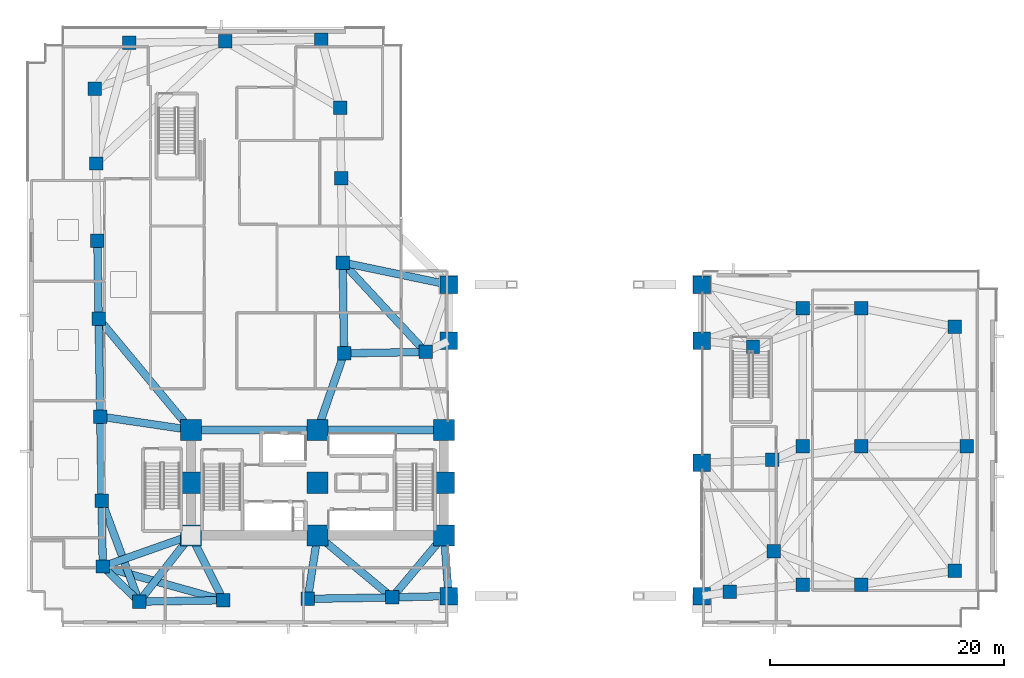
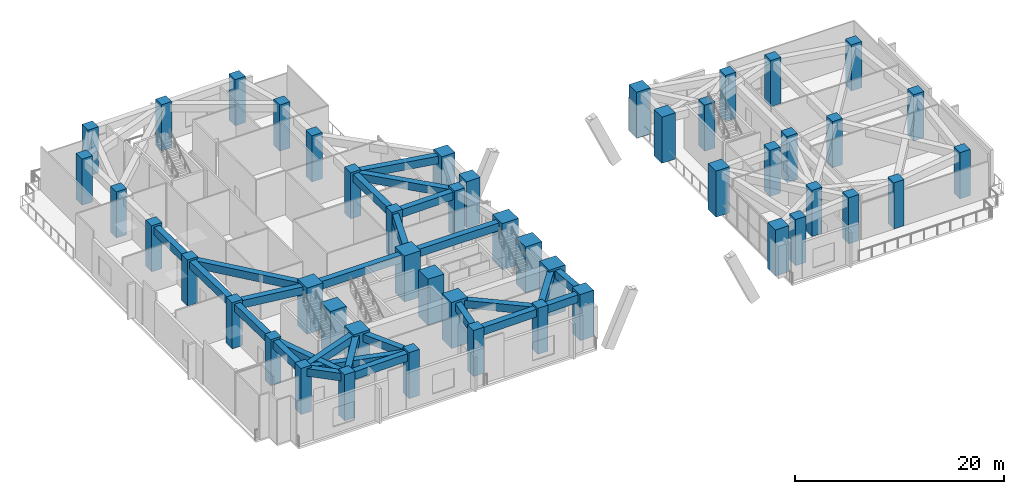
# One storey, part 1 of 18: 48 columns, 26 beams.
"""IFC4 building model written with IfcOpenShell, lengths in metres."""

import ifcopenshell
import ifcopenshell.guid

model = None  # the IFC model being written
_history = None  # IfcOwnerHistory: only IFC2X3 demands one
_inside = {}  # id of a spatial element -> (the spatial element, [elements in it])
_under = {}  # id of a project, library or spatial element -> (it, [spatial elements below it])
_declared = {}  # id of a project -> (the project, [libraries it declares])
_typed = {}  # id of a type object -> (the type object, [elements of that type])
_made_of = {}  # id of a material, layer set ... -> (it, [elements and type objects made of it])


def new_model(schema):
    """Start an empty IFC model of exactly this schema.

    Asked for "IFC4X3", IfcOpenShell would pick the latest addendum, in which some entities
    have other attributes; the version numbers below select the first issue.
    IFC2X3 requires an IfcOwnerHistory on every rooted entity: one is made here for all.
    """
    global model, _history
    if schema == "IFC4X3":
        model = ifcopenshell.file(schema_version=(4, 3, 0, 0))
    else:
        model = ifcopenshell.file(schema=schema)
    _inside.clear()
    _under.clear()
    _declared.clear()
    _typed.clear()
    _made_of.clear()
    _history = None
    if model.schema == "IFC2X3":
        org = make("IfcOrganization", Name="unknown")
        user = make(
            "IfcPersonAndOrganization",
            ThePerson=make("IfcPerson", FamilyName="unknown"),
            TheOrganization=org,
        )
        app = make(
            "IfcApplication",
            ApplicationDeveloper=org,
            Version="unknown",
            ApplicationFullName="unknown",
            ApplicationIdentifier="unknown",
        )
        _history = make(
            "IfcOwnerHistory",
            OwningUser=user,
            OwningApplication=app,
            ChangeAction="ADDED",
            CreationDate=0,
        )
    return model


def make(cls, **values):
    """One entity of the class cls with the attributes given. An attribute that is None is left unset."""
    return model.create_entity(
        cls, **{name: value for name, value in values.items() if value is not None}
    )


def rooted(cls, **values):
    """An entity with a GlobalId (a new one), such as an element, a storey or a relation."""
    return make(cls, GlobalId=ifcopenshell.guid.new(), OwnerHistory=_history, **values)


def si_unit(unit_type, name, prefix=None):
    """IfcSIUnit, for example si_unit("LENGTHUNIT", "METRE", prefix="MILLI")."""
    return make("IfcSIUnit", UnitType=unit_type, Prefix=prefix, Name=name)


def assignment(units):
    """IfcUnitAssignment: the units of a project."""
    return None if units is None else make("IfcUnitAssignment", Units=units)


def point(xyz):
    """IfcCartesianPoint."""
    return None if xyz is None else make("IfcCartesianPoint", Coordinates=xyz)


def direction(xyz):
    """IfcDirection."""
    return None if xyz is None else make("IfcDirection", DirectionRatios=xyz)


def frame(location, z_axis=None, x_axis=None):
    """IfcAxis2Placement3D, a coordinate frame: its origin and axes. An axis left out is left unset."""
    return make(
        "IfcAxis2Placement3D",
        Location=point(location),
        Axis=direction(z_axis),
        RefDirection=direction(x_axis),
    )


def frame_2d(location, x_axis=None):
    """IfcAxis2Placement2D, a coordinate frame in the plane: its origin and x axis."""
    return make(
        "IfcAxis2Placement2D", Location=point(location), RefDirection=direction(x_axis)
    )


def origin():
    """The frame at (0, 0, 0) with its axes left unset."""
    return frame((0.0, 0.0, 0.0))


def origin_2d():
    """The frame at (0, 0) in the plane with its x axis left unset."""
    return frame_2d((0.0, 0.0))


def place(relative_to, where):
    """IfcLocalPlacement: puts the frame where relative to a parent placement (None: the world)."""
    return make(
        "IfcLocalPlacement", PlacementRelTo=relative_to, RelativePlacement=where
    )


def context(
    kind, dimensions, precision=None, world=None, true_north=None, identifier=None
):
    """IfcGeometricRepresentationContext, for example the 3D "Model" context."""
    return make(
        "IfcGeometricRepresentationContext",
        ContextIdentifier=identifier,
        ContextType=kind,
        CoordinateSpaceDimension=dimensions,
        Precision=precision,
        WorldCoordinateSystem=world,
        TrueNorth=true_north,
    )


def subcontext(parent, identifier, kind, view, scale=None):
    """IfcGeometricRepresentationSubContext, for example "Body" below "Model"."""
    return make(
        "IfcGeometricRepresentationSubContext",
        ContextIdentifier=identifier,
        ContextType=kind,
        ParentContext=parent,
        TargetScale=scale,
        TargetView=view,
    )


def project(units=None, contexts=None):
    """IfcProject with its units and contexts."""
    return rooted(
        "IfcProject",
        Name="project",
        RepresentationContexts=contexts,
        UnitsInContext=assignment(units),
    )


def spatial(cls, under=None, at=None, **own):
    """A site, building, storey or space (cls), placed at a placement, below another one or the project."""
    s = rooted(cls, ObjectPlacement=at, **own)
    if under is not None:
        _under.setdefault(under.id(), (under, []))[1].append(s)
    return s


def profile(cls, at=None, kind="AREA", **sizes):
    """A parametric profile (cls). Its sizes go by their IFC names, for example OverallWidth=200.0."""
    return make(cls, ProfileType=kind, Position=at, **sizes)


def rectangle(**sizes):
    """IfcRectangleProfileDef."""
    return profile("IfcRectangleProfileDef", **sizes)


def extrude(swept, where, along, depth):
    """IfcExtrudedAreaSolid: the profile swept, set in the frame where, extruded along a direction by depth."""
    return make(
        "IfcExtrudedAreaSolid",
        SweptArea=swept,
        Position=where,
        ExtrudedDirection=direction(along),
        Depth=depth,
    )


def shape(context_of_items, identifier, shape_type, items):
    """IfcShapeRepresentation: the items that make up one representation, for example the "Body"."""
    return make(
        "IfcShapeRepresentation",
        ContextOfItems=context_of_items,
        RepresentationIdentifier=identifier,
        RepresentationType=shape_type,
        Items=items,
    )


def material(Name=None, Category=None):
    """IfcMaterial."""
    return make("IfcMaterial", Name=Name, Category=Category)


def material_profile(
    of_material, cross_section, Name=None, Category=None, Priority=None
):
    """IfcMaterialProfile: a cross section and its material."""
    return make(
        "IfcMaterialProfile",
        Name=Name,
        Material=of_material,
        Profile=cross_section,
        Priority=Priority,
        Category=Category,
    )


def profile_set(profiles, Name=None, composite=None):
    """IfcMaterialProfileSet."""
    return make(
        "IfcMaterialProfileSet",
        Name=Name,
        MaterialProfiles=profiles,
        CompositeProfile=composite,
    )


def made_of(thing, what):
    """Note that an element or type object is made of a material, layer set ...; save() writes the relation."""
    if what is not None:
        _made_of.setdefault(what.id(), (what, []))[1].append(thing)
    return thing


def type_object(cls, material=None, **own):
    """A type object (cls), such as IfcWallType, which elements share."""
    return made_of(rooted(cls, **own), material)


def element(
    cls,
    number,
    at=None,
    inside=None,
    cuts=None,
    type_object=None,
    material=None,
    context=None,
    identifier="Body",
    shape_type=None,
    held_by="IfcProductDefinitionShape",
    body=None,
    shapes=None,
    **own,
):
    """One element of the class cls, such as IfcWall. Its Tag is "e" and its number.

    at: its placement. inside: the storey or other place that contains it. cuts: it is an
    opening in that element (IfcRelVoidsElement). A single representation is given by context,
    identifier, shape_type and body (its items); several are given by shapes. held_by: the class
    of the entity that holds the representations. save() writes the other relations.
    """
    e = rooted(cls, Tag="e%d" % number, ObjectPlacement=at, **own)
    if body is not None:
        shapes = [shape(context, identifier, shape_type, body)]
    if shapes is not None:
        e.Representation = make(held_by, Representations=shapes)
    if inside is not None:
        _inside.setdefault(inside.id(), (inside, []))[1].append(e)
    if cuts is not None:
        rooted(
            "IfcRelVoidsElement", RelatingBuildingElement=cuts, RelatedOpeningElement=e
        )
    if type_object is not None:
        _typed.setdefault(type_object.id(), (type_object, []))[1].append(e)
    return made_of(e, material)


def aggregate(whole, parts):
    """IfcRelAggregates: a whole, such as a stair, and the parts it consists of."""
    return rooted("IfcRelAggregates", RelatingObject=whole, RelatedObjects=parts)


def save(model, path):
    """Write the relations noted so far, then the file.

    IfcRelAggregates (storeys below a building ...), IfcRelContainedInSpatialStructure (elements
    in a storey), IfcRelDefinesByType, IfcRelAssociatesMaterial and IfcRelDeclares: one each for
    every whole, place, type object, material and project.
    """
    for whole, parts in _under.values():
        aggregate(whole, parts)
    for where, things in _inside.values():
        rooted(
            "IfcRelContainedInSpatialStructure",
            RelatedElements=things,
            RelatingStructure=where,
        )
    for kind, things in _typed.values():
        rooted("IfcRelDefinesByType", RelatedObjects=things, RelatingType=kind)
    for what, things in _made_of.values():
        rooted("IfcRelAssociatesMaterial", RelatedObjects=things, RelatingMaterial=what)
    for by, libraries in _declared.values():
        rooted("IfcRelDeclares", RelatingContext=by, RelatedDefinitions=libraries)
    model.write(path)


model = new_model("IFC4")

# Units and contexts
model_context = context("Model", 3, precision=1e-05, world=origin(), true_north=direction((0.0, 1.0)))
body_context = subcontext(model_context, "Body", "Model", "MODEL_VIEW")
ifc_project = project(units=[si_unit("LENGTHUNIT", "METRE"), si_unit("AREAUNIT", "SQUARE_METRE"), si_unit("VOLUMEUNIT", "CUBIC_METRE"), si_unit("PLANEANGLEUNIT", "RADIAN"), si_unit("MASSUNIT", "GRAM", prefix="KILO")], contexts=[model_context])

# Site, building, storey
site_placement = place(None, origin())
site = spatial("IfcSite", under=ifc_project, at=site_placement, CompositionType="ELEMENT")
building_placement = place(site_placement, origin())
building = spatial("IfcBuilding", under=site, at=building_placement, Name="Gaonmaruhae Medical Tower", CompositionType="ELEMENT")
storey_placement = place(building_placement, frame((0.0, 0.0, 16.199951171875)))
storey = spatial("IfcBuildingStorey", under=building, at=storey_placement, Name="L03", CompositionType="ELEMENT", Elevation=16.199951171875)

# Columns
ifc_material_1 = material(Name="Concrete C60/75", Category="concrete")
ifc_material_profile_1 = material_profile(ifc_material_1, rectangle(XDim=1.800048828125, YDim=1.800048828125, at=origin_2d()), Name="RC-1800x1800")
ifc_profile_set_1 = profile_set([ifc_material_profile_1], Name="Concrete C60/75")
column_type_1 = type_object("IfcColumnType", Name="CC-01 Lower Core Mega Column (RC-1800x1800)", PredefinedType="COLUMN", material=ifc_profile_set_1)
for number, where, z_axis, x_axis, name in (
    (1, (14.0, 7.800048828125, 0.0), (0.0, 0.0, 1.0), (1.0, 0.0, 0.0), "L03 Plumb Core Column CC11"),
    (2, (14.0, 12.300048828125, 0.0), (0.0, 0.0, 1.0), (1.0, 0.0, 0.0), "L03 Plumb Core Column CC12"),
    (3, (14.0, 16.800048828125, 0.0), (0.0, 0.0, 1.0), (1.0, 0.0, 0.0), "L03 Plumb Core Column CC13"),
    (4, (24.800048828125, 7.800048828125, 0.0), (0.0, 0.0, 1.0), (1.0, 0.0, 0.0), "L03 Plumb Core Column CC21"),
    (5, (24.800048828125, 12.300048828125, 0.0), (0.0, 0.0, 1.0), (1.0, 0.0, 0.0), "L03 Plumb Core Column CC22"),
    (6, (24.800048828125, 16.800048828125, 0.0), (0.0, 0.0, 1.0), (1.0, 0.0, 0.0), "L03 Plumb Core Column CC23"),
    (7, (35.60009765625, 7.800048828125, 0.0), (0.0, 0.0, 1.0), (1.0, 0.0, 0.0), "L03 Plumb Core Column CC31"),
    (8, (35.60009765625, 12.300048828125, 0.0), (0.0, 0.0, 1.0), (1.0, 0.0, 0.0), "L03 Plumb Core Column CC32"),
    (9, (35.60009765625, 16.800048828125, 0.0), (0.0, 0.0, 1.0), (1.0, 0.0, 0.0), "L03 Plumb Core Column CC33"),
):
    element("IfcColumn", number, at=place(storey_placement, frame(where, z_axis=z_axis, x_axis=x_axis)), inside=storey, type_object=column_type_1, Name=name, PredefinedType="COLUMN", context=body_context, shape_type="SweptSolid", body=[
        extrude(rectangle(XDim=1.800048828125, YDim=1.800048828125, at=origin_2d()), origin(), (0.0, 0.0, 1.0), 5.400146484375),
    ])
ifc_material_profile_2 = material_profile(ifc_material_1, rectangle(XDim=1.5, YDim=1.5, at=origin_2d()), Name="RC-1500x1500")
ifc_profile_set_2 = profile_set([ifc_material_profile_2], Name="Concrete C60/75")
column_type_2 = type_object("IfcColumnType", Name="PC-C1 Portal Arch Exterior Spring Pier (RC-1500x1500)", PredefinedType="PILASTER", material=ifc_profile_set_2)
for number, where, z_axis, x_axis, name in (
    (10, (36.0, 29.199951171875, 0.0), (0.0, 0.0, 1.0), (1.0, 0.0, 0.0), "L03 Podium Column AP-W4"),
    (11, (57.60009765625, 29.199951171875, 0.0), (0.0, 0.0, 1.0), (1.0, 0.0, 0.0), "L03 Podium Column AP-E4"),
):
    element("IfcColumn", number, at=place(storey_placement, frame(where, z_axis=z_axis, x_axis=x_axis)), inside=storey, type_object=column_type_2, Name=name, PredefinedType="PILASTER", context=body_context, shape_type="SweptSolid", body=[
        extrude(rectangle(XDim=1.5, YDim=1.5, at=origin_2d()), origin(), (0.0, 0.0, 1.0), 5.400146484375),
    ])
ifc_material_profile_3 = material_profile(ifc_material_1, rectangle(XDim=1.5, YDim=1.5, at=origin_2d()), Name="RC-1500x1500")
ifc_profile_set_3 = profile_set([ifc_material_profile_3], Name="Concrete C60/75")
column_type_3 = type_object("IfcColumnType", Name="PC-C1I Portal Arch Interior Spring Pier (RC-1500x1500)", PredefinedType="PILASTER", material=ifc_profile_set_3)
for number, where, z_axis, x_axis, name in (
    (12, (36.0, 2.6259765625, 0.0), (0.0, 0.0, 1.0), (1.0, 0.0, 0.0), "L03 Podium Column AP-W1"),
    (13, (57.60009765625, 2.6259765625, 0.0), (0.0, 0.0, 1.0), (1.0, 0.0, 0.0), "L03 Podium Column AP-E1"),
    (14, (57.60009765625, 14.0, 0.0), (0.0, 0.0, 1.0), (1.0, 0.0, 0.0), "L03 Podium Column AP-E2"),
    (15, (36.0, 24.39990234375, 0.0), (0.0, 0.0, 1.0), (1.0, 0.0, 0.0), "L03 Podium Column AP-W3"),
    (16, (57.60009765625, 24.39990234375, 0.0), (0.0, 0.0, 1.0), (1.0, 0.0, 0.0), "L03 Podium Column AP-E3"),
):
    element("IfcColumn", number, at=place(storey_placement, frame(where, z_axis=z_axis, x_axis=x_axis)), inside=storey, type_object=column_type_3, Name=name, PredefinedType="PILASTER", context=body_context, shape_type="SweptSolid", body=[
        extrude(rectangle(XDim=1.5, YDim=1.5, at=origin_2d()), origin(), (0.0, 0.0, 1.0), 5.400146484375),
    ])
ifc_material_2 = material(Name="Concrete C50/60", Category="concrete")
ifc_material_profile_4 = material_profile(ifc_material_2, rectangle(XDim=1.14990234375, YDim=1.14990234375, at=origin_2d()), Name="RC-1150x1150")
ifc_profile_set_4 = profile_set([ifc_material_profile_4], Name="Concrete C50/60")
column_type_4 = type_object("IfcColumnType", Name="PC-C2 Podium Perimeter Column (RC-1150x1150)", PredefinedType="COLUMN", material=ifc_profile_set_4)
for number, where, z_axis, x_axis, name in (
    (17, (9.572265625, 2.1484375, 0.0), (0.0, 0.0, 1.0), (1.0, 0.0, 0.0), "L03 Podium Column PL5-S01"),
    (18, (25.129150390625, 50.113037109375, 0.0), (0.0, 0.0, 1.0), (1.0, 0.0, 0.0), "L03 Podium Column PL5-N01"),
    (19, (16.930419921875, 49.97705078125, 0.0), (0.0, 0.0, 1.0), (1.0, 0.0, 0.0), "L03 Podium Column PL5-N02"),
    (20, (8.7314453125, 49.841064453125, 0.0), (0.0, 0.0, 1.0), (1.0, 0.0, 0.0), "L03 Podium Column PL5-N03"),
    (21, (66.199951171875, 3.60009765625, 0.0), (0.0, 0.0, 1.0), (1.0, 0.0, 0.0), "L03 Podium Column PE-01"),
    (22, (66.199951171875, 27.199951171875, 0.0), (0.0, 0.0, 1.0), (1.0, 0.0, 0.0), "L03 Podium Column PE-05"),
    (23, (79.199951171875, 4.800048828125, 0.0), (0.0, 0.0, 1.0), (1.0, 0.0, 0.0), "L03 Podium Column PE-07"),
    (24, (80.199951171875, 15.39990234375, 0.0), (0.0, 0.0, 1.0), (1.0, 0.0, 0.0), "L03 Podium Column PE-08"),
    (25, (79.199951171875, 25.60009765625, 0.0), (0.0, 0.0, 1.0), (1.0, 0.0, 0.0), "L03 Podium Column PE-09"),
):
    element("IfcColumn", number, at=place(storey_placement, frame(where, z_axis=z_axis, x_axis=x_axis)), inside=storey, type_object=column_type_4, Name=name, PredefinedType="COLUMN", context=body_context, shape_type="SweptSolid", body=[
        extrude(rectangle(XDim=1.14990234375, YDim=1.14990234375, at=origin_2d()), origin(), (0.0, 0.0, 1.0), 5.400146484375),
    ])
ifc_material_profile_5 = material_profile(ifc_material_2, rectangle(XDim=1.14990234375, YDim=1.14990234375, at=origin_2d()), Name="RC-1150x1150")
ifc_profile_set_5 = profile_set([ifc_material_profile_5], Name="Concrete C50/60")
column_type_5 = type_object("IfcColumnType", Name="PC-C2I Podium Interior Column (RC-1150x1150)", PredefinedType="COLUMN", material=ifc_profile_set_5)
for number, where, z_axis, x_axis, name in (
    (26, (16.771240234375, 2.267822265625, 0.0), (0.0, 0.0, 1.0), (1.0, 0.0, 0.0), "L03 Podium Column PL5-S02"),
    (27, (23.97021484375, 2.38720703125, 0.0), (0.0, 0.0, 1.0), (1.0, 0.0, 0.0), "L03 Podium Column PL5-S03"),
    (28, (31.169189453125, 2.506591796875, 0.0), (0.0, 0.0, 1.0), (1.0, 0.0, 0.0), "L03 Podium Column PL5-S04"),
    (29, (59.96533203125, 2.984130859375, 0.0), (0.0, 0.0, 1.0), (1.0, 0.0, 0.0), "L03 Podium Column PL5-S08"),
    (30, (63.75830078125, 6.447509765625, 0.0), (0.0, 0.0, 1.0), (1.0, 0.0, 0.0), "L03 Podium Column PL5-E01"),
    (31, (63.629150390625, 14.246337890625, 0.0), (0.0, 0.0, 1.0), (1.0, 0.0, 0.0), "L03 Podium Column PL5-E02"),
    (32, (61.968505859375, 23.920166015625, 0.0), (0.0, 0.0, 1.0), (1.0, 0.0, 0.0), "L03 Podium Column PL5-E03"),
    (33, (34.022216796875, 23.456787109375, 0.0), (0.0, 0.0, 1.0), (1.0, 0.0, 0.0), "L03 Podium Column PL5-EN04"),
    (34, (27.0732421875, 23.341552734375, 0.0), (0.0, 0.0, 1.0), (1.0, 0.0, 0.0), "L03 Podium Column PL5-KN01"),
    (35, (26.94482421875, 31.090576171875, 0.0), (0.0, 0.0, 1.0), (1.0, 0.0, 0.0), "L03 Podium Column PL5-NE01"),
    (36, (26.825439453125, 38.28955078125, 0.0), (0.0, 0.0, 1.0), (1.0, 0.0, 0.0), "L03 Podium Column PL5-NE02"),
    (37, (26.725830078125, 44.288818359375, 0.0), (0.0, 0.0, 1.0), (1.0, 0.0, 0.0), "L03 Podium Column PL5-NE03"),
    (38, (5.795654296875, 45.94189453125, 0.0), (0.0, 0.0, 1.0), (1.0, 0.0, 0.0), "L03 Podium Column PL5-W01"),
    (39, (5.90185546875, 39.542724609375, 0.0), (0.0, 0.0, 1.0), (1.0, 0.0, 0.0), "L03 Podium Column PL5-W02"),
    (40, (6.01123046875, 32.943603515625, 0.0), (0.0, 0.0, 1.0), (1.0, 0.0, 0.0), "L03 Podium Column PL5-W03"),
    (41, (6.121337890625, 26.294677734375, 0.0), (0.0, 0.0, 1.0), (1.0, 0.0, 0.0), "L03 Podium Column PL5-W04"),
    (42, (6.260009765625, 17.94580078125, 0.0), (0.0, 0.0, 1.0), (1.0, 0.0, 0.0), "L03 Podium Column PL5-W05"),
    (43, (6.37939453125, 10.746826171875, 0.0), (0.0, 0.0, 1.0), (1.0, 0.0, 0.0), "L03 Podium Column PL5-W06"),
    (44, (6.47216796875, 5.1474609375, 0.0), (0.0, 0.0, 1.0), (1.0, 0.0, 0.0), "L03 Podium Column PL5-W07"),
    (45, (71.199951171875, 3.60009765625, 0.0), (0.0, 0.0, 1.0), (1.0, 0.0, 0.0), "L03 Podium Column PE-02"),
    (46, (66.199951171875, 15.39990234375, 0.0), (0.0, 0.0, 1.0), (1.0, 0.0, 0.0), "L03 Podium Column PE-03"),
    (47, (71.199951171875, 15.39990234375, 0.0), (0.0, 0.0, 1.0), (1.0, 0.0, 0.0), "L03 Podium Column PE-04"),
    (48, (71.199951171875, 27.199951171875, 0.0), (0.0, 0.0, 1.0), (1.0, 0.0, 0.0), "L03 Podium Column PE-06"),
):
    element("IfcColumn", number, at=place(storey_placement, frame(where, z_axis=z_axis, x_axis=x_axis)), inside=storey, type_object=column_type_5, Name=name, PredefinedType="COLUMN", context=body_context, shape_type="SweptSolid", body=[
        extrude(rectangle(XDim=1.14990234375, YDim=1.14990234375, at=origin_2d()), origin(), (0.0, 0.0, 1.0), 5.400146484375),
    ])

# Beams
ifc_material_profile_6 = material_profile(ifc_material_2, rectangle(XDim=0.64990234375, YDim=0.89990234375, at=origin_2d()), Name="RCG-650x900")
ifc_profile_set_6 = profile_set([ifc_material_profile_6], Name="Concrete C50/60")
beam_type = type_object("IfcBeamType", Name="RG-01 Podium Primary RC Girder (RCG-650x900)", PredefinedType="BEAM", material=ifc_profile_set_6)
for number, where, z_axis, x_axis, name in (
    (49, (14.050048828125, 16.800048828125, 4.699951171875), (1.0, 0.0, 0.0), (0.0, 1.0, 0.0), "L03 Beam BM-L03-CG-N1"),
    (50, (24.85009765625, 16.800048828125, 4.699951171875), (1.0, 0.0, 0.0), (0.0, 1.0, 0.0), "L03 Beam BM-L03-CG-N2"),
):
    element("IfcBeam", number, at=place(storey_placement, frame(where, z_axis=z_axis, x_axis=x_axis)), inside=storey, type_object=beam_type, Name=name, PredefinedType="BEAM", context=body_context, shape_type="SweptSolid", body=[
        extrude(rectangle(XDim=0.64990234375, YDim=0.89990234375, at=origin_2d()), origin(), (0.0, 0.0, 1.0), 10.699951171875),
    ])
beam_1_placement = place(storey_placement, frame((35.949951171875, 2.624755859375, 4.699951171875), z_axis=(-0.999694600046, -0.024712479405, 0.0), x_axis=(0.024712479405, -0.999694600046, 0.0)))
element("IfcBeam", 51, at=beam_1_placement, inside=storey, type_object=beam_type, Name="L03 Beam BM-L03-PG001", PredefinedType="BEAM", context=body_context, shape_type="SweptSolid", body=[
    extrude(rectangle(XDim=0.64990234375, YDim=0.89990234375, at=origin_2d()), origin(), (0.0, 0.0, 1.0), 4.732177734375),
])
beam_2_placement = place(storey_placement, frame((35.99609375, 2.67578125, 4.699951171875), z_axis=(-0.077085319769, 0.997024499938, 0.0), x_axis=(-0.997024499938, -0.077085319769, 0.0)))
element("IfcBeam", 52, at=beam_2_placement, inside=storey, type_object=beam_type, Name="L03 Beam BM-L03-PG002", PredefinedType="BEAM", context=body_context, shape_type="SweptSolid", body=[
    extrude(rectangle(XDim=0.64990234375, YDim=0.89990234375, at=origin_2d()), origin(), (0.0, 0.0, 1.0), 5.089599609375),
])
beam_3_placement = place(storey_placement, frame((35.951171875, 29.210205078125, 4.699951171875), z_axis=(-0.978893765429, 0.204369753153, 0.0), x_axis=(-0.204369753153, -0.978893765429, 0.0)))
element("IfcBeam", 53, at=beam_3_placement, inside=storey, type_object=beam_type, Name="L03 Beam BM-L03-PG012", PredefinedType="BEAM", context=body_context, shape_type="SweptSolid", body=[
    extrude(rectangle(XDim=0.64990234375, YDim=0.89990234375, at=origin_2d()), origin(), (0.0, 0.0, 1.0), 9.150634765625),
])
beam_4_placement = place(storey_placement, frame((9.536376953125, 2.183349609375, 4.699951171875), z_axis=(-0.71874317397, 0.695275664662, 0.0), x_axis=(-0.695275664662, -0.71874317397, 0.0)))
element("IfcBeam", 54, at=beam_4_placement, inside=storey, type_object=beam_type, Name="L03 Beam BM-L03-PG015", PredefinedType="BEAM", context=body_context, shape_type="SweptSolid", body=[
    extrude(rectangle(XDim=0.64990234375, YDim=0.89990234375, at=origin_2d()), origin(), (0.0, 0.0, 1.0), 4.21337890625),
])
beam_5_placement = place(storey_placement, frame((9.60302734375, 2.187744140625, 4.699951171875), z_axis=(0.616722881004, 0.787180340231, 0.0), x_axis=(-0.787180340231, 0.616722881004, 0.0)))
element("IfcBeam", 55, at=beam_5_placement, inside=storey, type_object=beam_type, Name="L03 Beam BM-L03-PG016", PredefinedType="BEAM", context=body_context, shape_type="SweptSolid", body=[
    extrude(rectangle(XDim=0.64990234375, YDim=0.89990234375, at=origin_2d()), origin(), (0.0, 0.0, 1.0), 7.07958984375),
])
beam_6_placement = place(storey_placement, frame((16.7490234375, 2.3125, 4.699951171875), z_axis=(-0.447887224471, 0.894090059309, 0.0), x_axis=(-0.894090059309, -0.447887224471, 0.0)))
element("IfcBeam", 56, at=beam_6_placement, inside=storey, type_object=beam_type, Name="L03 Beam BM-L03-PG017", PredefinedType="BEAM", context=body_context, shape_type="SweptSolid", body=[
    extrude(rectangle(XDim=0.64990234375, YDim=0.89990234375, at=origin_2d()), origin(), (0.0, 0.0, 1.0), 6.087646484375),
])
beam_7_placement = place(storey_placement, frame((16.72119140625, 2.26708984375, 4.699951171875), z_axis=(-0.99986263522, -0.016574398672, 0.0), x_axis=(0.016574398672, -0.99986263522, 0.0)))
element("IfcBeam", 57, at=beam_7_placement, inside=storey, type_object=beam_type, Name="L03 Beam BM-L03-PG018", PredefinedType="BEAM", context=body_context, shape_type="SweptSolid", body=[
    extrude(rectangle(XDim=0.64990234375, YDim=0.89990234375, at=origin_2d()), origin(), (0.0, 0.0, 1.0), 7.099853515625),
])
beam_8_placement = place(storey_placement, frame((23.977783203125, 2.436767578125, 4.699951171875), z_axis=(0.15154867759, 0.988449795549, 0.0), x_axis=(-0.988449795549, 0.15154867759, 0.0)))
element("IfcBeam", 58, at=beam_8_placement, inside=storey, type_object=beam_type, Name="L03 Beam BM-L03-PG019", PredefinedType="BEAM", context=body_context, shape_type="SweptSolid", body=[
    extrude(rectangle(XDim=0.64990234375, YDim=0.89990234375, at=origin_2d()), origin(), (0.0, 0.0, 1.0), 5.375732421875),
])
beam_9_placement = place(storey_placement, frame((24.020263671875, 2.38818359375, 4.699951171875), z_axis=(0.999862644666, 0.01657382883, 0.0), x_axis=(-0.01657382883, 0.999862644666, 0.0)))
element("IfcBeam", 59, at=beam_9_placement, inside=storey, type_object=beam_type, Name="L03 Beam BM-L03-PG020", PredefinedType="BEAM", context=body_context, shape_type="SweptSolid", body=[
    extrude(rectangle(XDim=0.64990234375, YDim=0.89990234375, at=origin_2d()), origin(), (0.0, 0.0, 1.0), 7.10009765625),
])
beam_10_placement = place(storey_placement, frame((31.201416015625, 2.544921875, 4.699951171875), z_axis=(0.641841952808, 0.766836949824, 0.0), x_axis=(-0.766836949824, 0.641841952808, 0.0)))
element("IfcBeam", 60, at=beam_10_placement, inside=storey, type_object=beam_type, Name="L03 Beam BM-L03-PG021", PredefinedType="BEAM", context=body_context, shape_type="SweptSolid", body=[
    extrude(rectangle(XDim=0.64990234375, YDim=0.89990234375, at=origin_2d()), origin(), (0.0, 0.0, 1.0), 6.802978515625),
])
beam_11_placement = place(storey_placement, frame((31.130859375, 2.53857421875, 4.699951171875), z_axis=(-0.769076636627, 0.639156574709, 0.0), x_axis=(-0.639156574709, -0.769076636627, 0.0)))
element("IfcBeam", 61, at=beam_11_placement, inside=storey, type_object=beam_type, Name="L03 Beam BM-L03-PG022", PredefinedType="BEAM", context=body_context, shape_type="SweptSolid", body=[
    extrude(rectangle(XDim=0.64990234375, YDim=0.89990234375, at=origin_2d()), origin(), (0.0, 0.0, 1.0), 8.181884765625),
])
beam_12_placement = place(storey_placement, frame((33.972412109375, 23.4560546875, 4.699951171875), z_axis=(-0.999862660061, -0.016572900012, 0.0), x_axis=(0.016572900012, -0.999862660061, 0.0)))
element("IfcBeam", 62, at=beam_12_placement, inside=storey, type_object=beam_type, Name="L03 Beam BM-L03-PG032", PredefinedType="BEAM", context=body_context, shape_type="SweptSolid", body=[
    extrude(rectangle(XDim=0.64990234375, YDim=0.89990234375, at=origin_2d()), origin(), (0.0, 0.0, 1.0), 6.85009765625),
])
beam_13_placement = place(storey_placement, frame((27.056884765625, 23.29443359375, 4.699951171875), z_axis=(-0.328252856343, -0.944589891065, 0.0), x_axis=(0.944589891065, -0.328252856343, 0.0)))
element("IfcBeam", 63, at=beam_13_placement, inside=storey, type_object=beam_type, Name="L03 Beam BM-L03-PG033", PredefinedType="BEAM", context=body_context, shape_type="SweptSolid", body=[
    extrude(rectangle(XDim=0.64990234375, YDim=0.89990234375, at=origin_2d()), origin(), (0.0, 0.0, 1.0), 6.825439453125),
])
beam_14_placement = place(storey_placement, frame((27.072509765625, 23.3916015625, 4.699951171875), z_axis=(-0.016595224727, 0.999862289776, 0.0), x_axis=(-0.999862289776, -0.016595224727, 0.0)))
element("IfcBeam", 64, at=beam_14_placement, inside=storey, type_object=beam_type, Name="L03 Beam BM-L03-PG034", PredefinedType="BEAM", context=body_context, shape_type="SweptSolid", body=[
    extrude(rectangle(XDim=0.64990234375, YDim=0.89990234375, at=origin_2d()), origin(), (0.0, 0.0, 1.0), 7.64990234375),
])
beam_15_placement = place(storey_placement, frame((26.978759765625, 31.053955078125, 4.699951171875), z_axis=(0.679878677461, -0.733324610206, 0.0), x_axis=(0.733324610206, 0.679878677461, 0.0)))
element("IfcBeam", 65, at=beam_15_placement, inside=storey, type_object=beam_type, Name="L03 Beam BM-L03-PG036", PredefinedType="BEAM", context=body_context, shape_type="SweptSolid", body=[
    extrude(rectangle(XDim=0.64990234375, YDim=0.89990234375, at=origin_2d()), origin(), (0.0, 0.0, 1.0), 10.31005859375),
])
beam_16_placement = place(storey_placement, frame((6.011962890625, 32.893798828125, 4.699951171875), z_axis=(0.016586102524, -0.99986244114, 0.0), x_axis=(0.99986244114, 0.016586102524, 0.0)))
element("IfcBeam", 66, at=beam_16_placement, inside=storey, type_object=beam_type, Name="L03 Beam BM-L03-PG049", PredefinedType="BEAM", context=body_context, shape_type="SweptSolid", body=[
    extrude(rectangle(XDim=0.64990234375, YDim=0.89990234375, at=origin_2d()), origin(), (0.0, 0.0, 1.0), 6.55029296875),
])
beam_17_placement = place(storey_placement, frame((6.122314453125, 26.24462890625, 4.699951171875), z_axis=(0.016572145992, -0.999862672559, 0.0), x_axis=(0.999862672559, 0.016572145992, 0.0)))
element("IfcBeam", 67, at=beam_17_placement, inside=storey, type_object=beam_type, Name="L03 Beam BM-L03-PG050", PredefinedType="BEAM", context=body_context, shape_type="SweptSolid", body=[
    extrude(rectangle(XDim=0.64990234375, YDim=0.89990234375, at=origin_2d()), origin(), (0.0, 0.0, 1.0), 8.25),
])
beam_18_placement = place(storey_placement, frame((6.1533203125, 26.256103515625, 4.699951171875), z_axis=(0.638571966842, -0.76956211131, 0.0), x_axis=(0.76956211131, 0.638571966842, 0.0)))
element("IfcBeam", 68, at=beam_18_placement, inside=storey, type_object=beam_type, Name="L03 Beam BM-L03-PG051", PredefinedType="BEAM", context=body_context, shape_type="SweptSolid", body=[
    extrude(rectangle(XDim=0.64990234375, YDim=0.89990234375, at=origin_2d()), origin(), (0.0, 0.0, 1.0), 12.23779296875),
])
beam_19_placement = place(storey_placement, frame((6.2607421875, 17.895751953125, 4.699951171875), z_axis=(0.016574398672, -0.99986263522, 0.0), x_axis=(0.99986263522, 0.016574398672, 0.0)))
element("IfcBeam", 69, at=beam_19_placement, inside=storey, type_object=beam_type, Name="L03 Beam BM-L03-PG052", PredefinedType="BEAM", context=body_context, shape_type="SweptSolid", body=[
    extrude(rectangle(XDim=0.64990234375, YDim=0.89990234375, at=origin_2d()), origin(), (0.0, 0.0, 1.0), 7.099853515625),
])
beam_20_placement = place(storey_placement, frame((6.309326171875, 17.9384765625, 4.699951171875), z_axis=(0.989220595227, -0.146432967528, 0.0), x_axis=(0.146432967528, 0.989220595227, 0.0)))
element("IfcBeam", 70, at=beam_20_placement, inside=storey, type_object=beam_type, Name="L03 Beam BM-L03-PG053", PredefinedType="BEAM", context=body_context, shape_type="SweptSolid", body=[
    extrude(rectangle(XDim=0.64990234375, YDim=0.89990234375, at=origin_2d()), origin(), (0.0, 0.0, 1.0), 7.724365234375),
])
beam_21_placement = place(storey_placement, frame((6.380126953125, 10.69677734375, 4.699951171875), z_axis=(0.016557108537, -0.999862921683, 0.0), x_axis=(0.999862921683, 0.016557108537, 0.0)))
element("IfcBeam", 71, at=beam_21_placement, inside=storey, type_object=beam_type, Name="L03 Beam BM-L03-PG054", PredefinedType="BEAM", context=body_context, shape_type="SweptSolid", body=[
    extrude(rectangle(XDim=0.64990234375, YDim=0.89990234375, at=origin_2d()), origin(), (0.0, 0.0, 1.0), 5.5),
])
beam_22_placement = place(storey_placement, frame((6.396728515625, 10.699951171875, 4.699951171875), z_axis=(0.348122339765, -0.937449111449, 0.0), x_axis=(0.937449111449, 0.348122339765, 0.0)))
element("IfcBeam", 72, at=beam_22_placement, inside=storey, type_object=beam_type, Name="L03 Beam BM-L03-PG055", PredefinedType="BEAM", context=body_context, shape_type="SweptSolid", body=[
    extrude(rectangle(XDim=0.64990234375, YDim=0.89990234375, at=origin_2d()), origin(), (0.0, 0.0, 1.0), 9.072021484375),
])
beam_23_placement = place(storey_placement, frame((6.519287109375, 5.1640625, 4.699951171875), z_axis=(0.943158912801, 0.332342090628, 0.0), x_axis=(-0.332342090628, 0.943158912801, 0.0)))
element("IfcBeam", 73, at=beam_23_placement, inside=storey, type_object=beam_type, Name="L03 Beam BM-L03-PG056", PredefinedType="BEAM", context=body_context, shape_type="SweptSolid", body=[
    extrude(rectangle(XDim=0.64990234375, YDim=0.89990234375, at=origin_2d()), origin(), (0.0, 0.0, 1.0), 7.881591796875),
])
beam_24_placement = place(storey_placement, frame((6.520263671875, 5.134033203125, 4.699951171875), z_axis=(0.963062562171, -0.269277740159, 0.0), x_axis=(0.269277740159, 0.963062562171, 0.0)))
element("IfcBeam", 74, at=beam_24_placement, inside=storey, type_object=beam_type, Name="L03 Beam BM-L03-PG057", PredefinedType="BEAM", context=body_context, shape_type="SweptSolid", body=[
    extrude(rectangle(XDim=0.64990234375, YDim=0.89990234375, at=origin_2d()), origin(), (0.0, 0.0, 1.0), 10.59423828125),
])

save(model, "model.ifc")
